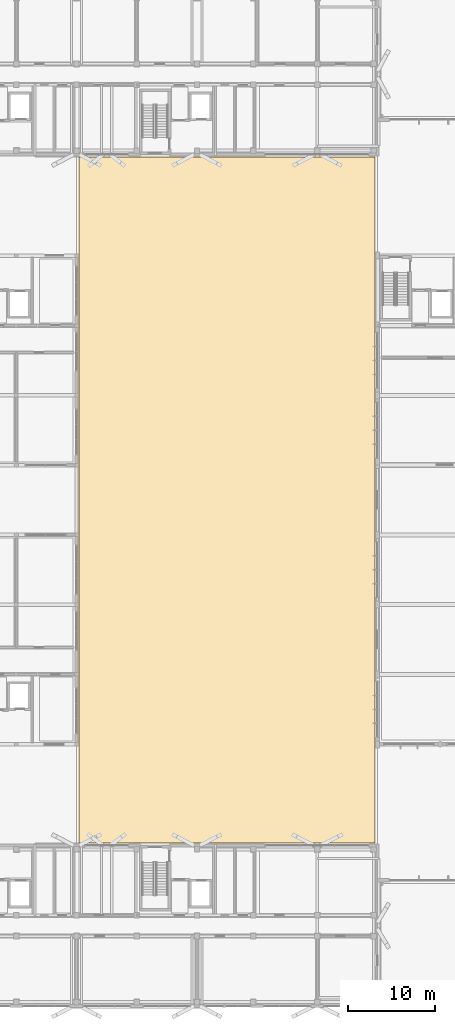
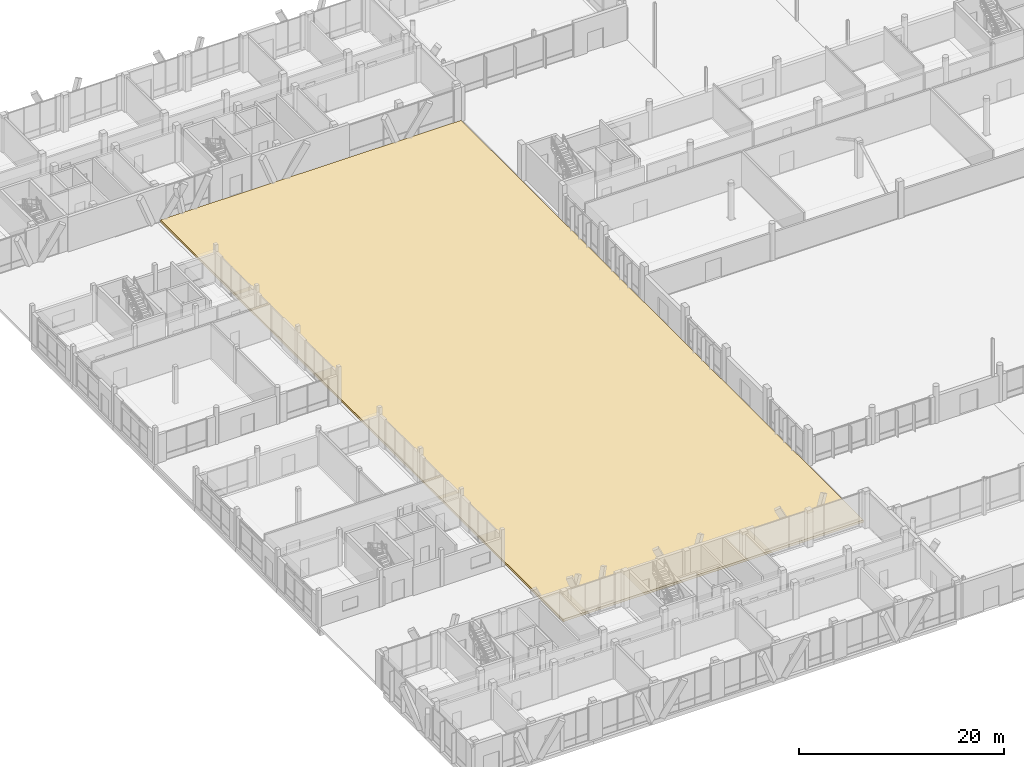
# One storey, part 214 of 233: 1 covering.
"""IFC4 building model written with IfcOpenShell, lengths in metres."""

from ifc_helpers import new_model, si_unit, direction, origin, place, context, subcontext, project, spatial, polyline, outline, extrude, material, layer, layer_set, type_object, element, save


model = new_model("IFC4")

# Units and contexts
model_context = context("Model", 3, precision=1e-05, world=origin(), true_north=direction((0.0, 1.0)))
body_context = subcontext(model_context, "Body", "Model", "MODEL_VIEW")
ifc_project = project(units=[si_unit("LENGTHUNIT", "METRE"), si_unit("AREAUNIT", "SQUARE_METRE"), si_unit("VOLUMEUNIT", "CUBIC_METRE"), si_unit("PLANEANGLEUNIT", "RADIAN"), si_unit("MASSUNIT", "GRAM", prefix="KILO")], contexts=[model_context])

# Site, building, storey
site_placement = place(None, origin())
site = spatial("IfcSite", under=ifc_project, at=site_placement, CompositionType="ELEMENT")
building_placement = place(site_placement, origin())
building = spatial("IfcBuilding", under=site, at=building_placement, Name="Zavelmont Quarter", CompositionType="ELEMENT")
storey_placement = place(building_placement, origin())
storey = spatial("IfcBuildingStorey", under=building, at=storey_placement, Name="L00", CompositionType="ELEMENT", Elevation=0.0)

# Covering
ifc_material = material(Name="EPDM waterproofing membrane and mineral insulation")
ifc_layer = layer(ifc_material, 0.280029296875)
ifc_layer_set = layer_set([ifc_layer], Name="EPDM waterproofing membrane and mineral insulation")
covering_type = type_object("IfcCoveringType", Name="CV-RF02", PredefinedType="ROOFING", material=ifc_layer_set)
covering_placement = place(storey_placement, origin())
element("IfcCovering", 1, at=covering_placement, inside=storey, type_object=covering_type, Name="L00 roof build-up CV-RF02", PredefinedType="ROOFING", context=body_context, shape_type="SweptSolid", body=[
    extrude(outline(polyline([(21.0, 18.699951171875), (54.89990234375, 18.699951171875), (54.89990234375, 97.300048828125), (21.0, 97.300048828125), (21.0, 18.699951171875)])), origin(), (0.0, 0.0, 1.0), 0.280029296875),
])

save(model, "model.ifc")
